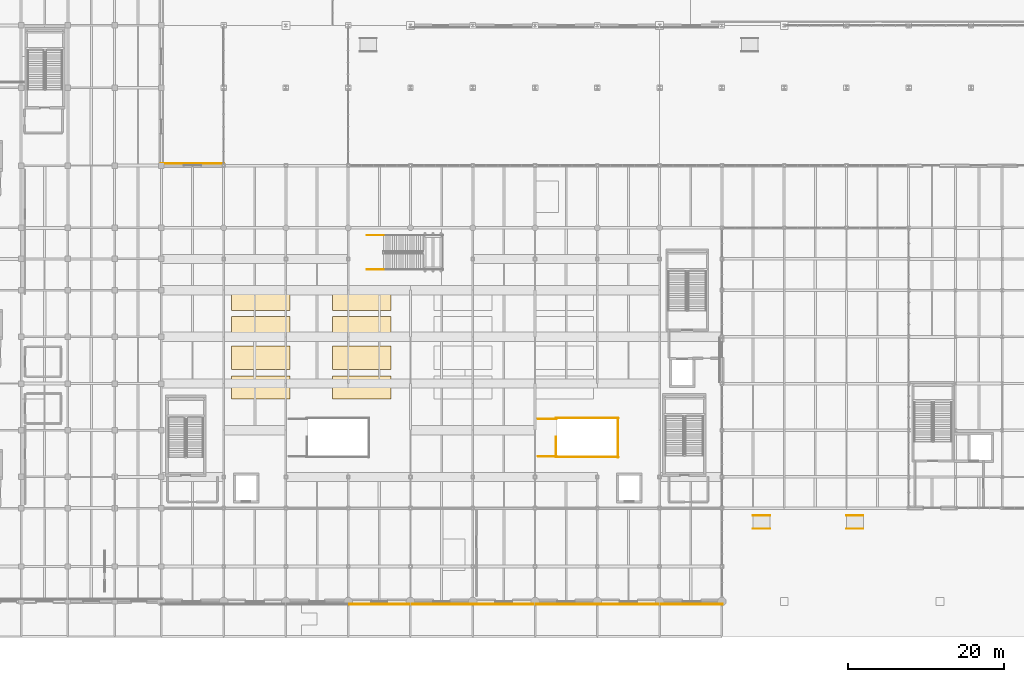
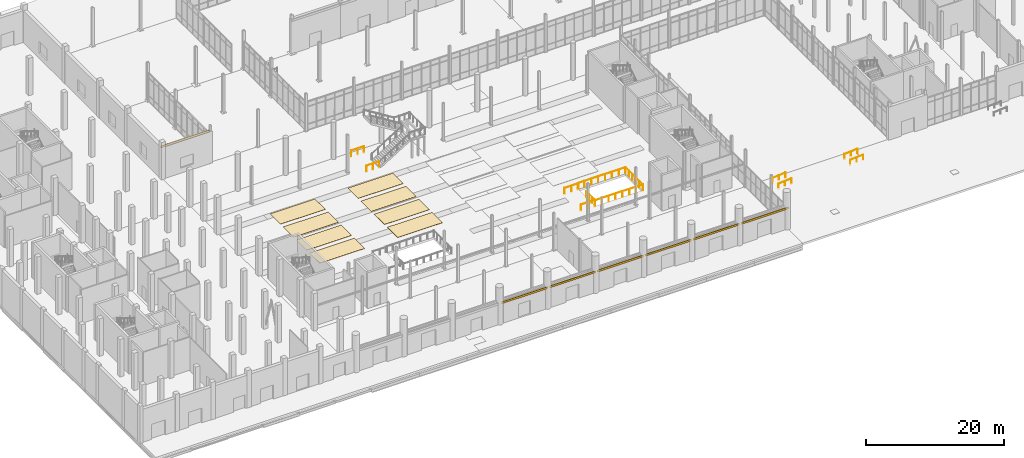
# One storey, part 133 of 140: 15 coverings, 12 railings.
"""IFC4 building model written with IfcOpenShell, lengths in metres."""

from ifc_helpers import new_model, si_unit, direction, frame, origin, origin_2d, place, context, subcontext, project, spatial, polyline, rectangle, circle, outline, extrude, material, layer, layer_set, type_object, element, save


model = new_model("IFC4")

# Units and contexts
model_context = context("Model", 3, precision=1e-05, world=origin(), true_north=direction((0.0, 1.0)))
body_context = subcontext(model_context, "Body", "Model", "MODEL_VIEW")
ifc_project = project(units=[si_unit("LENGTHUNIT", "METRE"), si_unit("AREAUNIT", "SQUARE_METRE"), si_unit("VOLUMEUNIT", "CUBIC_METRE"), si_unit("PLANEANGLEUNIT", "RADIAN"), si_unit("MASSUNIT", "GRAM", prefix="KILO")], contexts=[model_context])

# Site, building, storey
site_placement = place(None, origin())
site = spatial("IfcSite", under=ifc_project, at=site_placement, CompositionType="ELEMENT")
building_placement = place(site_placement, origin())
building = spatial("IfcBuilding", under=site, at=building_placement, Name="Verrall Gate Interchange", CompositionType="ELEMENT")
storey_placement = place(building_placement, origin())
storey = spatial("IfcBuildingStorey", under=building, at=storey_placement, Name="L01", CompositionType="ELEMENT", Elevation=0.0)

# Coverings
ifc_material_1 = material(Name="Tyndall Dolomitic Limestone Ashlar Cavity Assembly (U=0.18)", Category="masonry")
ifc_layer_1 = layer(ifc_material_1, 0.080078125)
ifc_layer_set_1 = layer_set([ifc_layer_1], Name="Tyndall Dolomitic Limestone Ashlar Cavity Assembly (U=0.18)")
covering_type_1 = type_object("IfcCoveringType", Name="CLD-01 Tyndall Cornice Cladding Band", PredefinedType="CLADDING", material=ifc_layer_set_1)
for number, where, z_axis, x_axis, name in (
    (1, (64.0, -0.35009765625, 3.56298828125), (0.0, 0.0, 1.0), (1.0, 0.0, 0.0), "Classical Tyndall Cornice Band 010"),
    (2, (72.0, -0.35009765625, 3.56298828125), (0.0, 0.0, 1.0), (1.0, 0.0, 0.0), "Classical Tyndall Cornice Band 011"),
    (3, (80.0, -0.35009765625, 3.56298828125), (0.0, 0.0, 1.0), (1.0, 0.0, 0.0), "Classical Tyndall Cornice Band 012"),
    (4, (88.0, -0.35009765625, 3.56298828125), (0.0, 0.0, 1.0), (1.0, 0.0, 0.0), "Classical Tyndall Cornice Band 013"),
    (5, (96.0, -0.35009765625, 3.56298828125), (0.0, 0.0, 1.0), (1.0, 0.0, 0.0), "Classical Tyndall Cornice Band 014"),
):
    element("IfcCovering", number, at=place(storey_placement, frame(where, z_axis=z_axis, x_axis=x_axis)), inside=storey, type_object=covering_type_1, Name=name, PredefinedType="CLADDING", context=body_context, shape_type="SweptSolid", body=[
        extrude(rectangle(XDim=7.716064453125, YDim=0.080078125, at=origin_2d()), origin(), (0.0, 0.0, 1.0), 0.340087890625),
    ])
covering_1_placement = place(storey_placement, frame((104.12109375, -0.35009765625, 3.56298828125), z_axis=(0.0, 0.0, 1.0), x_axis=(1.0, 0.0, 0.0)))
element("IfcCovering", 6, at=covering_1_placement, inside=storey, type_object=covering_type_1, Name="Classical Tyndall Cornice Band 015", PredefinedType="CLADDING", context=body_context, shape_type="SweptSolid", body=[
    extrude(rectangle(XDim=7.9580078125, YDim=0.080078125, at=origin_2d()), origin(), (0.0, 0.0, 1.0), 0.340087890625),
])
covering_2_placement = place(storey_placement, frame((40.0, 56.27001953125, 5.216796875), z_axis=(0.0, 0.0, 1.0), x_axis=(-1.0, 0.0, 0.0)))
element("IfcCovering", 7, at=covering_2_placement, inside=storey, type_object=covering_type_1, Name="Classical Tyndall Cornice Band 017", PredefinedType="CLADDING", context=body_context, shape_type="SweptSolid", body=[
    extrude(rectangle(XDim=8.199951171875, YDim=0.080078125, at=origin_2d()), origin(), (0.0, 0.0, 1.0), 0.340087890625),
])
ifc_material_2 = material(Name="Polished Alberta Aggregate Epoxy Terrazzo Flooring", Category="concrete")
ifc_layer_2 = layer(ifc_material_2, 0.030029296875)
ifc_layer_set_2 = layer_set([ifc_layer_2], Name="Polished Alberta Aggregate Epoxy Terrazzo Flooring")
covering_type_2 = type_object("IfcCoveringType", Name="FLR-01 Polished Alberta Aggregate Terrazzo Flooring", PredefinedType="FLOORING", material=ifc_layer_set_2)
covering_3_placement = place(storey_placement, origin())
element("IfcCovering", 8, at=covering_3_placement, inside=storey, type_object=covering_type_2, Name="Grand Concourse Terrazzo Medallion Bay 01", PredefinedType="FLOORING", context=body_context, shape_type="SweptSolid", body=[
    extrude(outline(polyline([(45.0, 26.0), (52.5, 26.0), (52.5, 29.0), (45.0, 29.0), (45.0, 26.0)])), origin(), (0.0, 0.0, 1.0), 0.030029296875),
])
covering_4_placement = place(storey_placement, origin())
element("IfcCovering", 9, at=covering_4_placement, inside=storey, type_object=covering_type_2, Name="Grand Concourse Terrazzo Medallion Bay 02", PredefinedType="FLOORING", context=body_context, shape_type="SweptSolid", body=[
    extrude(outline(polyline([(58.0, 26.0), (65.5, 26.0), (65.5, 29.0), (58.0, 29.0), (58.0, 26.0)])), origin(), (0.0, 0.0, 1.0), 0.030029296875),
])
covering_5_placement = place(storey_placement, origin())
element("IfcCovering", 10, at=covering_5_placement, inside=storey, type_object=covering_type_2, Name="Grand Concourse Terrazzo Medallion Bay 05", PredefinedType="FLOORING", context=body_context, shape_type="SweptSolid", body=[
    extrude(outline(polyline([(45.0, 29.800048828125), (52.5, 29.800048828125), (52.5, 32.800048828125), (45.0, 32.800048828125), (45.0, 29.800048828125)])), origin(), (0.0, 0.0, 1.0), 0.030029296875),
])
covering_6_placement = place(storey_placement, origin())
element("IfcCovering", 11, at=covering_6_placement, inside=storey, type_object=covering_type_2, Name="Grand Concourse Terrazzo Medallion Bay 06", PredefinedType="FLOORING", context=body_context, shape_type="SweptSolid", body=[
    extrude(outline(polyline([(58.0, 29.800048828125), (65.5, 29.800048828125), (65.5, 32.800048828125), (58.0, 32.800048828125), (58.0, 29.800048828125)])), origin(), (0.0, 0.0, 1.0), 0.030029296875),
])
covering_7_placement = place(storey_placement, origin())
element("IfcCovering", 12, at=covering_7_placement, inside=storey, type_object=covering_type_2, Name="Grand Concourse Terrazzo Medallion Bay 09", PredefinedType="FLOORING", context=body_context, shape_type="SweptSolid", body=[
    extrude(outline(polyline([(45.0, 33.60009765625), (52.5, 33.60009765625), (52.5, 36.60009765625), (45.0, 36.60009765625), (45.0, 33.60009765625)])), origin(), (0.0, 0.0, 1.0), 0.030029296875),
])
covering_8_placement = place(storey_placement, origin())
element("IfcCovering", 13, at=covering_8_placement, inside=storey, type_object=covering_type_2, Name="Grand Concourse Terrazzo Medallion Bay 10", PredefinedType="FLOORING", context=body_context, shape_type="SweptSolid", body=[
    extrude(outline(polyline([(58.0, 33.60009765625), (65.5, 33.60009765625), (65.5, 36.60009765625), (58.0, 36.60009765625), (58.0, 33.60009765625)])), origin(), (0.0, 0.0, 1.0), 0.030029296875),
])
covering_9_placement = place(storey_placement, origin())
element("IfcCovering", 14, at=covering_9_placement, inside=storey, type_object=covering_type_2, Name="Grand Concourse Terrazzo Medallion Bay 13", PredefinedType="FLOORING", context=body_context, shape_type="SweptSolid", body=[
    extrude(outline(polyline([(45.0, 37.39990234375), (52.5, 37.39990234375), (52.5, 40.39990234375), (45.0, 40.39990234375), (45.0, 37.39990234375)])), origin(), (0.0, 0.0, 1.0), 0.030029296875),
])
covering_10_placement = place(storey_placement, origin())
element("IfcCovering", 15, at=covering_10_placement, inside=storey, type_object=covering_type_2, Name="Grand Concourse Terrazzo Medallion Bay 14", PredefinedType="FLOORING", context=body_context, shape_type="SweptSolid", body=[
    extrude(outline(polyline([(58.0, 37.39990234375), (65.5, 37.39990234375), (65.5, 40.39990234375), (58.0, 40.39990234375), (58.0, 37.39990234375)])), origin(), (0.0, 0.0, 1.0), 0.030029296875),
])

# Railings
ifc_material_3 = material(Name="Brushed Stainless-Steel Guardrail and Handrail System", Category="steel")
railing_type_1 = type_object("IfcRailingType", Name="GR-02 Interior Atrium and Stair Guardrail 1100", PredefinedType="GUARDRAIL", material=ifc_material_3)
railing_1_placement = place(storey_placement, frame((86.699951171875, 18.60009765625, 0.0)))
element("IfcRailing", 16, at=railing_1_placement, inside=storey, type_object=railing_type_1, Name="L01 ST-11 top well guard 1", PredefinedType="GUARDRAIL", context=body_context, shape_type="SweptSolid", body=[
    extrude(circle(Radius=0.02392578125, at=origin_2d()), frame((0.0, 0.0, 1.076171875), z_axis=(0.0, 1.0, 0.0), x_axis=(-1.0, 0.0, 0.0)), (0.0, 0.0, 1.0), 2.5498046875),
    extrude(circle(Radius=0.02099609375, at=origin_2d()), origin(), (0.0, 0.0, 1.0), 1.052001953125),
    extrude(circle(Radius=0.02099609375, at=origin_2d()), frame((0.0, 0.849853515625, 0.0)), (0.0, 0.0, 1.0), 1.052001953125),
    extrude(circle(Radius=0.02099609375, at=origin_2d()), frame((0.0, 1.699951171875, 0.0)), (0.0, 0.0, 1.0), 1.052001953125),
    extrude(circle(Radius=0.02099609375, at=origin_2d()), frame((0.0, 2.5498046875, 0.0)), (0.0, 0.0, 1.0), 1.052001953125),
])
for number, where, name in (
    (17, (86.64990234375, 18.550048828125, 0.0), "L01 ST-11 top well guard 2"),
    (18, (86.64990234375, 23.550048828125, 0.0), "L01 ST-11 top well guard 3"),
):
    element("IfcRailing", number, at=place(storey_placement, frame(where)), inside=storey, type_object=railing_type_1, Name=name, PredefinedType="GUARDRAIL", context=body_context, shape_type="SweptSolid", body=[
        extrude(circle(Radius=0.02392578125, at=origin_2d()), frame((0.0, 0.0, 1.076171875), z_axis=(1.0, 0.0, 0.0), x_axis=(0.0, 1.0, 0.0)), (0.0, 0.0, 1.0), 8.050048828125),
        extrude(circle(Radius=0.02099609375, at=origin_2d()), origin(), (0.0, 0.0, 1.0), 1.052001953125),
        extrude(circle(Radius=0.02099609375, at=origin_2d()), frame((1.14990234375, 0.0, 0.0)), (0.0, 0.0, 1.0), 1.052001953125),
        extrude(circle(Radius=0.02099609375, at=origin_2d()), frame((2.300048828125, 0.0, 0.0)), (0.0, 0.0, 1.0), 1.052001953125),
        extrude(circle(Radius=0.02099609375, at=origin_2d()), frame((3.449951171875, 0.0, 0.0)), (0.0, 0.0, 1.0), 1.052001953125),
        extrude(circle(Radius=0.02099609375, at=origin_2d()), frame((4.60009765625, 0.0, 0.0)), (0.0, 0.0, 1.0), 1.052001953125),
        extrude(circle(Radius=0.02099609375, at=origin_2d()), frame((5.75, 0.0, 0.0)), (0.0, 0.0, 1.0), 1.052001953125),
        extrude(circle(Radius=0.02099609375, at=origin_2d()), frame((6.900146484375, 0.0, 0.0)), (0.0, 0.0, 1.0), 1.052001953125),
        extrude(circle(Radius=0.02099609375, at=origin_2d()), frame((8.050048828125, 0.0, 0.0)), (0.0, 0.0, 1.0), 1.052001953125),
    ])
railing_2_placement = place(storey_placement, frame((94.64990234375, 18.5, 0.0)))
element("IfcRailing", 19, at=railing_2_placement, inside=storey, type_object=railing_type_1, Name="L01 ST-11 top well guard 4", PredefinedType="GUARDRAIL", context=body_context, shape_type="SweptSolid", body=[
    extrude(circle(Radius=0.02392578125, at=origin_2d()), frame((0.0, 0.0, 1.076171875), z_axis=(0.0, 1.0, 0.0), x_axis=(-1.0, 0.0, 0.0)), (0.0, 0.0, 1.0), 5.10009765625),
    extrude(circle(Radius=0.02099609375, at=origin_2d()), origin(), (0.0, 0.0, 1.0), 1.052001953125),
    extrude(circle(Radius=0.02099609375, at=origin_2d()), frame((0.0, 1.02001953125, 0.0)), (0.0, 0.0, 1.0), 1.052001953125),
    extrude(circle(Radius=0.02099609375, at=origin_2d()), frame((0.0, 2.0400390625, 0.0)), (0.0, 0.0, 1.0), 1.052001953125),
    extrude(circle(Radius=0.02099609375, at=origin_2d()), frame((0.0, 3.06005859375, 0.0)), (0.0, 0.0, 1.0), 1.052001953125),
    extrude(circle(Radius=0.02099609375, at=origin_2d()), frame((0.0, 4.080078125, 0.0)), (0.0, 0.0, 1.0), 1.052001953125),
    extrude(circle(Radius=0.02099609375, at=origin_2d()), frame((0.0, 5.10009765625, 0.0)), (0.0, 0.0, 1.0), 1.052001953125),
])
for number, where, name in (
    (20, (84.39990234375, 18.64990234375, 0.0), "L01 ST-11 top well guard 5"),
    (21, (84.39990234375, 23.449951171875, 0.0), "L01 ST-11 top well guard 6"),
):
    element("IfcRailing", number, at=place(storey_placement, frame(where)), inside=storey, type_object=railing_type_1, Name=name, PredefinedType="GUARDRAIL", context=body_context, shape_type="SweptSolid", body=[
        extrude(circle(Radius=0.02392578125, at=origin_2d()), frame((0.0, 0.0, 1.076171875), z_axis=(1.0, 0.0, 0.0), x_axis=(0.0, 1.0, 0.0)), (0.0, 0.0, 1.0), 2.35009765625),
        extrude(circle(Radius=0.02099609375, at=origin_2d()), origin(), (0.0, 0.0, 1.0), 1.052001953125),
        extrude(circle(Radius=0.02099609375, at=origin_2d()), frame((1.175048828125, 0.0, 0.0)), (0.0, 0.0, 1.0), 1.052001953125),
        extrude(circle(Radius=0.02099609375, at=origin_2d()), frame((2.35009765625, 0.0, 0.0)), (0.0, 0.0, 1.0), 1.052001953125),
    ])
for number, where, name in (
    (22, (62.39990234375, 42.64990234375, 0.0), "L01 ST-12 stair guard 8"),
    (23, (62.39990234375, 47.050048828125, 0.0), "L01 ST-12 stair guard 9"),
):
    element("IfcRailing", number, at=place(storey_placement, frame(where)), inside=storey, type_object=railing_type_1, Name=name, PredefinedType="GUARDRAIL", context=body_context, shape_type="SweptSolid", body=[
        extrude(circle(Radius=0.02392578125, at=origin_2d()), frame((0.0, 0.0, 1.076171875), z_axis=(1.0, 0.0, 0.0), x_axis=(0.0, 1.0, 0.0)), (0.0, 0.0, 1.0), 2.150146484375),
        extrude(circle(Radius=0.02099609375, at=origin_2d()), origin(), (0.0, 0.0, 1.0), 1.052001953125),
        extrude(circle(Radius=0.02099609375, at=origin_2d()), frame((1.0751953125, 0.0, 0.0)), (0.0, 0.0, 1.0), 1.052001953125),
        extrude(circle(Radius=0.02099609375, at=origin_2d()), frame((2.150146484375, 0.0, 0.0)), (0.0, 0.0, 1.0), 1.052001953125),
    ])
ifc_material_4 = material(Name="Brushed Stainless-Steel Guardrail and Handrail System", Category="steel")
railing_type_2 = type_object("IfcRailingType", Name="HR-01 Stair and Ramp Pitch-Line Handrail 920", PredefinedType="HANDRAIL", material=ifc_material_4)
for number, where, name in (
    (24, (112.0, 11.050048828125, -0.179931640625), "SE Forecourt West Barrier-Free Ramp Handrail L"),
    (25, (112.0, 9.35009765625, -0.179931640625), "SE Forecourt West Barrier-Free Ramp Handrail R"),
    (26, (124.0, 11.050048828125, -0.179931640625), "SE Forecourt Mid Barrier-Free Ramp Handrail L"),
    (27, (124.0, 9.35009765625, -0.179931640625), "SE Forecourt Mid Barrier-Free Ramp Handrail R"),
):
    element("IfcRailing", number, at=place(storey_placement, frame(where)), inside=storey, type_object=railing_type_2, Name=name, PredefinedType="HANDRAIL", context=body_context, shape_type="SweptSolid", body=[
        extrude(circle(Radius=0.02392578125, at=origin_2d()), frame((0.0, 0.0, 0.89599609375), z_axis=(0.996548088387, 0.0, 0.08301751341), x_axis=(0.0, 1.0, 0.0)), (0.0, 0.0, 1.0), 2.16748046875),
        extrude(circle(Radius=0.02099609375, at=origin_2d()), origin(), (0.0, 0.0, 1.0), 0.871826171875),
        extrude(circle(Radius=0.02099609375, at=origin_2d()), frame((1.080078125, 0.0, 0.08984375)), (0.0, 0.0, 1.0), 0.871826171875),
        extrude(circle(Radius=0.02099609375, at=origin_2d()), frame((2.159912109375, 0.0, 0.179931640625)), (0.0, 0.0, 1.0), 0.871826171875),
    ])

save(model, "model.ifc")
